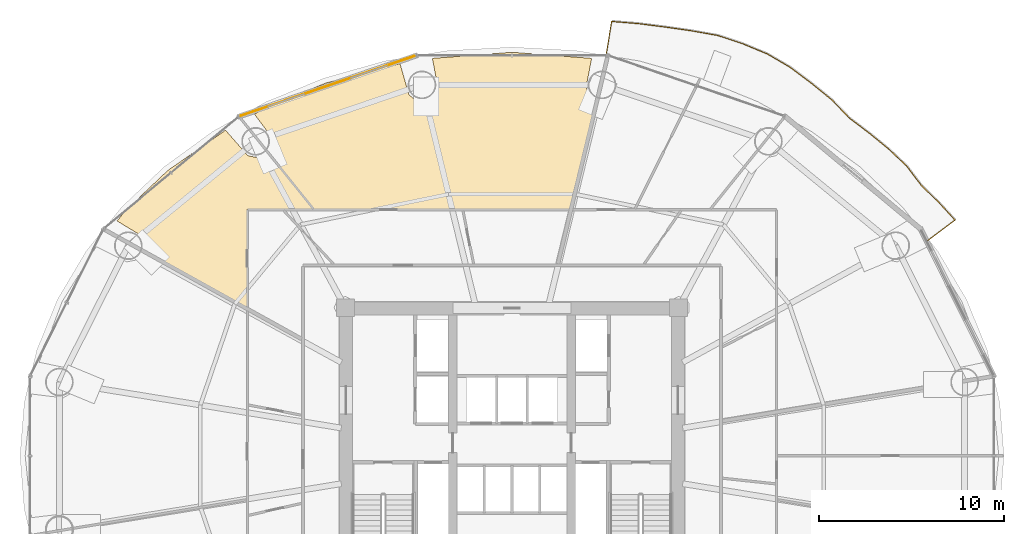
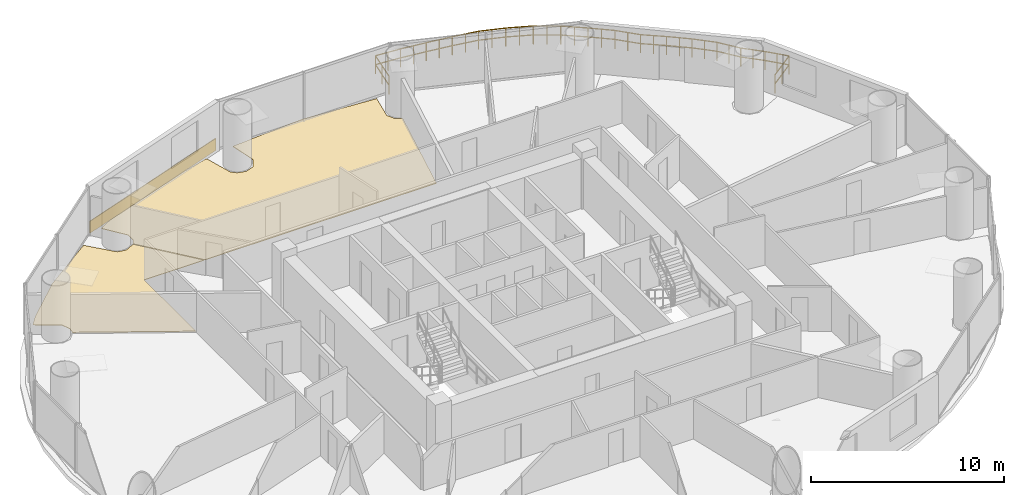
# One storey, part 29 of 29: 3 coverings, 1 railing.
"""IFC4 building model written with IfcOpenShell, lengths in metres."""

from ifc_helpers import new_model, si_unit, direction, frame, origin, origin_2d, place, context, subcontext, project, spatial, polyline, rectangle, outline, extrude, source, transform, mapped, material, layer, layer_set, type_object, element, save


model = new_model("IFC4")

# Units and contexts
model_context = context("Model", 3, precision=1e-05, world=origin(), true_north=direction((-0.2419218956, 0.970295726276)))
body_context = subcontext(model_context, "Body", "Model", "MODEL_VIEW")
ifc_project = project(units=[si_unit("LENGTHUNIT", "METRE"), si_unit("AREAUNIT", "SQUARE_METRE"), si_unit("VOLUMEUNIT", "CUBIC_METRE"), si_unit("PLANEANGLEUNIT", "RADIAN"), si_unit("MASSUNIT", "GRAM", prefix="KILO")], contexts=[model_context])

# Site, building, storey
site_placement = place(None, origin())
site = spatial("IfcSite", under=ifc_project, at=site_placement, CompositionType="ELEMENT")
building_placement = place(site_placement, origin())
building = spatial("IfcBuilding", under=site, at=building_placement, Name="Cobrevalo Terracotta Tower", CompositionType="ELEMENT")
storey_placement = place(building_placement, frame((0.0, 0.0, 126.60009765625)))
storey = spatial("IfcBuildingStorey", under=building, at=storey_placement, Name="L33", CompositionType="ELEMENT", Elevation=126.60009765625)

# Railing
ifc_material_1 = material(Name="Laminated structural glass and stainless steel", Category="steel")
railing_type = type_object("IfcRailingType", Name="Balcony lobe structural glass & terracotta-cap balustrade 1180 mm", PredefinedType="BALUSTRADE", material=ifc_material_1)
railing_placement = place(storey_placement, frame((60.457275390625, 38.428955078125, 0.0)))
element("IfcRailing", 1, at=railing_placement, inside=storey, type_object=railing_type, Name="L33 spiralling balcony lobe balustrade 1", PredefinedType="BALUSTRADE", context=body_context, shape_type="SweptSolid", body=[
    extrude(rectangle(XDim=0.048095703125, YDim=0.048095703125, at=origin_2d()), frame((0.0, 0.0, 1.15576171875), z_axis=(0.800156917434, 0.599790719737, 0.0), x_axis=(-0.599790719737, 0.800156917434, 0.0)), (0.0, 0.0, 1.0), 1.86669921875),
    extrude(rectangle(XDim=0.048095703125, YDim=0.048095703125, at=origin_2d()), frame((0.0, 0.0, 0.58984375), z_axis=(0.800156917434, 0.599790719737, 0.0), x_axis=(-0.599790719737, 0.800156917434, 0.0)), (0.0, 0.0, 1.0), 1.86669921875),
    extrude(rectangle(XDim=0.048095703125, YDim=0.048095703125, at=origin_2d()), frame((1.49365234375, 1.11962890625, 1.15576171875), z_axis=(-0.675208242645, 0.737627161284, 0.0), x_axis=(-0.737627161284, -0.675208242645, 0.0)), (0.0, 0.0, 1.0), 1.306396484375),
    extrude(rectangle(XDim=0.048095703125, YDim=0.048095703125, at=origin_2d()), frame((1.49365234375, 1.11962890625, 0.58984375), z_axis=(-0.675208242645, 0.737627161284, 0.0), x_axis=(-0.737627161284, -0.675208242645, 0.0)), (0.0, 0.0, 1.0), 1.306396484375),
    extrude(rectangle(XDim=0.048095703125, YDim=0.048095703125, at=origin_2d()), frame((0.611572265625, 2.083251953125, 1.15576171875), z_axis=(-0.718281268291, 0.695752843776, 0.0), x_axis=(-0.695752843776, -0.718281268291, 0.0)), (0.0, 0.0, 1.0), 1.300537109375),
    extrude(rectangle(XDim=0.048095703125, YDim=0.048095703125, at=origin_2d()), frame((0.611572265625, 2.083251953125, 0.58984375), z_axis=(-0.718281268291, 0.695752843776, 0.0), x_axis=(-0.695752843776, -0.718281268291, 0.0)), (0.0, 0.0, 1.0), 1.300537109375),
    extrude(rectangle(XDim=0.048095703125, YDim=0.048095703125, at=origin_2d()), frame((-0.322509765625, 2.988037109375, 1.15576171875), z_axis=(-0.604350460896, 0.796718595499, 0.0), x_axis=(-0.796718595499, -0.604350460896, 0.0)), (0.0, 0.0, 1.0), 1.335205078125),
    extrude(rectangle(XDim=0.048095703125, YDim=0.048095703125, at=origin_2d()), frame((-0.322509765625, 2.988037109375, 0.58984375), z_axis=(-0.604350460896, 0.796718595499, 0.0), x_axis=(-0.796718595499, -0.604350460896, 0.0)), (0.0, 0.0, 1.0), 1.335205078125),
    extrude(rectangle(XDim=0.048095703125, YDim=0.048095703125, at=origin_2d()), frame((-1.12939453125, 4.0517578125, 1.15576171875), z_axis=(-0.727120159513, 0.686510213784, 0.0), x_axis=(-0.686510213784, -0.727120159513, 0.0)), (0.0, 0.0, 1.0), 1.32861328125),
    extrude(rectangle(XDim=0.048095703125, YDim=0.048095703125, at=origin_2d()), frame((-1.12939453125, 4.0517578125, 0.58984375), z_axis=(-0.727120159513, 0.686510213784, 0.0), x_axis=(-0.686510213784, -0.727120159513, 0.0)), (0.0, 0.0, 1.0), 1.32861328125),
    extrude(rectangle(XDim=0.048095703125, YDim=0.048095703125, at=origin_2d()), frame((-2.095458984375, 4.9638671875, 1.15576171875), z_axis=(-0.77371390746, 0.633535152461, 0.0), x_axis=(-0.633535152461, -0.77371390746, 0.0)), (0.0, 0.0, 1.0), 1.341064453125),
    extrude(rectangle(XDim=0.048095703125, YDim=0.048095703125, at=origin_2d()), frame((-2.095458984375, 4.9638671875, 0.58984375), z_axis=(-0.77371390746, 0.633535152461, 0.0), x_axis=(-0.633535152461, -0.77371390746, 0.0)), (0.0, 0.0, 1.0), 1.341064453125),
    extrude(rectangle(XDim=0.048095703125, YDim=0.048095703125, at=origin_2d()), frame((-3.133056640625, 5.8134765625, 1.15576171875), z_axis=(-0.797876949191, 0.602820349648, 0.0), x_axis=(-0.602820349648, -0.797876949191, 0.0)), (0.0, 0.0, 1.0), 1.35546875),
    extrude(rectangle(XDim=0.048095703125, YDim=0.048095703125, at=origin_2d()), frame((-3.133056640625, 5.8134765625, 0.58984375), z_axis=(-0.797876949191, 0.602820349648, 0.0), x_axis=(-0.602820349648, -0.797876949191, 0.0)), (0.0, 0.0, 1.0), 1.35546875),
    extrude(rectangle(XDim=0.048095703125, YDim=0.048095703125, at=origin_2d()), frame((-4.214599609375, 6.630615234375, 1.15576171875), z_axis=(-0.694174557694, 0.719806698671, 0.0), x_axis=(-0.719806698671, -0.694174557694, 0.0)), (0.0, 0.0, 1.0), 1.390625),
    extrude(rectangle(XDim=0.048095703125, YDim=0.048095703125, at=origin_2d()), frame((-4.214599609375, 6.630615234375, 0.58984375), z_axis=(-0.694174557694, 0.719806698671, 0.0), x_axis=(-0.719806698671, -0.694174557694, 0.0)), (0.0, 0.0, 1.0), 1.390625),
    extrude(rectangle(XDim=0.048095703125, YDim=0.048095703125, at=origin_2d()), frame((-5.179931640625, 7.631591796875, 1.15576171875), z_axis=(-0.77586523956, 0.630898668601, 0.0), x_axis=(-0.630898668601, -0.77586523956, 0.0)), (0.0, 0.0, 1.0), 1.411376953125),
    extrude(rectangle(XDim=0.048095703125, YDim=0.048095703125, at=origin_2d()), frame((-5.179931640625, 7.631591796875, 0.58984375), z_axis=(-0.77586523956, 0.630898668601, 0.0), x_axis=(-0.630898668601, -0.77586523956, 0.0)), (0.0, 0.0, 1.0), 1.411376953125),
    extrude(rectangle(XDim=0.048095703125, YDim=0.048095703125, at=origin_2d()), frame((-6.27490234375, 8.52197265625, 1.15576171875), z_axis=(-0.800061789845, 0.599917604701, 0.0), x_axis=(-0.599917604701, -0.800061789845, 0.0)), (0.0, 0.0, 1.0), 1.42236328125),
    extrude(rectangle(XDim=0.048095703125, YDim=0.048095703125, at=origin_2d()), frame((-6.27490234375, 8.52197265625, 0.58984375), z_axis=(-0.800061789845, 0.599917604701, 0.0), x_axis=(-0.599917604701, -0.800061789845, 0.0)), (0.0, 0.0, 1.0), 1.42236328125),
    extrude(rectangle(XDim=0.048095703125, YDim=0.048095703125, at=origin_2d()), frame((-7.412841796875, 9.375244140625, 1.15576171875), z_axis=(-0.863032677379, 0.505148094895, 0.0), x_axis=(-0.505148094895, -0.863032677379, 0.0)), (0.0, 0.0, 1.0), 1.42578125),
    extrude(rectangle(XDim=0.048095703125, YDim=0.048095703125, at=origin_2d()), frame((-7.412841796875, 9.375244140625, 0.58984375), z_axis=(-0.863032677379, 0.505148094895, 0.0), x_axis=(-0.505148094895, -0.863032677379, 0.0)), (0.0, 0.0, 1.0), 1.42578125),
    extrude(rectangle(XDim=0.048095703125, YDim=0.048095703125, at=origin_2d()), frame((-8.643310546875, 10.095458984375, 1.15576171875), z_axis=(-0.923538347498, 0.383506089522, 0.0), x_axis=(-0.383506089522, -0.923538347498, 0.0)), (0.0, 0.0, 1.0), 1.43798828125),
    extrude(rectangle(XDim=0.048095703125, YDim=0.048095703125, at=origin_2d()), frame((-8.643310546875, 10.095458984375, 0.58984375), z_axis=(-0.923538347498, 0.383506089522, 0.0), x_axis=(-0.383506089522, -0.923538347498, 0.0)), (0.0, 0.0, 1.0), 1.43798828125),
    extrude(rectangle(XDim=0.048095703125, YDim=0.048095703125, at=origin_2d()), frame((-9.971435546875, 10.64697265625, 1.15576171875), z_axis=(-0.948887271865, 0.31561518546, 0.0), x_axis=(-0.31561518546, -0.948887271865, 0.0)), (0.0, 0.0, 1.0), 1.434814453125),
    extrude(rectangle(XDim=0.048095703125, YDim=0.048095703125, at=origin_2d()), frame((-9.971435546875, 10.64697265625, 0.58984375), z_axis=(-0.948887271865, 0.31561518546, 0.0), x_axis=(-0.31561518546, -0.948887271865, 0.0)), (0.0, 0.0, 1.0), 1.434814453125),
    extrude(rectangle(XDim=0.048095703125, YDim=0.048095703125, at=origin_2d()), frame((-11.3330078125, 11.099853515625, 1.15576171875), z_axis=(-0.98468731325, 0.174329845764, 0.0), x_axis=(-0.174329845764, -0.98468731325, 0.0)), (0.0, 0.0, 1.0), 1.457763671875),
    extrude(rectangle(XDim=0.048095703125, YDim=0.048095703125, at=origin_2d()), frame((-11.3330078125, 11.099853515625, 0.58984375), z_axis=(-0.98468731325, 0.174329845764, 0.0), x_axis=(-0.174329845764, -0.98468731325, 0.0)), (0.0, 0.0, 1.0), 1.457763671875),
    extrude(rectangle(XDim=0.048095703125, YDim=0.048095703125, at=origin_2d()), frame((-12.7685546875, 11.35400390625, 1.15576171875), z_axis=(-0.989898916874, 0.141774942679, 0.0), x_axis=(-0.141774942679, -0.989898916874, 0.0)), (0.0, 0.0, 1.0), 1.449951171875),
    extrude(rectangle(XDim=0.048095703125, YDim=0.048095703125, at=origin_2d()), frame((-12.7685546875, 11.35400390625, 0.58984375), z_axis=(-0.989898916874, 0.141774942679, 0.0), x_axis=(-0.141774942679, -0.989898916874, 0.0)), (0.0, 0.0, 1.0), 1.449951171875),
    extrude(rectangle(XDim=0.048095703125, YDim=0.048095703125, at=origin_2d()), frame((-14.203857421875, 11.5595703125, 1.15576171875), z_axis=(-0.99205188385, 0.125829486806, 0.0), x_axis=(-0.125829486806, -0.99205188385, 0.0)), (0.0, 0.0, 1.0), 1.439697265625),
    extrude(rectangle(XDim=0.048095703125, YDim=0.048095703125, at=origin_2d()), frame((-14.203857421875, 11.5595703125, 0.58984375), z_axis=(-0.99205188385, 0.125829486806, 0.0), x_axis=(-0.125829486806, -0.99205188385, 0.0)), (0.0, 0.0, 1.0), 1.439697265625),
    extrude(rectangle(XDim=0.048095703125, YDim=0.048095703125, at=origin_2d()), frame((-15.632080078125, 11.74072265625, 1.15576171875), z_axis=(-0.996728680005, 0.080820408659, 0.0), x_axis=(-0.080820408659, -0.996728680005, 0.0)), (0.0, 0.0, 1.0), 1.44384765625),
    extrude(rectangle(XDim=0.048095703125, YDim=0.048095703125, at=origin_2d()), frame((-15.632080078125, 11.74072265625, 0.58984375), z_axis=(-0.996728680005, 0.080820408659, 0.0), x_axis=(-0.080820408659, -0.996728680005, 0.0)), (0.0, 0.0, 1.0), 1.44384765625),
    extrude(rectangle(XDim=0.048095703125, YDim=0.048095703125, at=origin_2d()), frame((-17.0712890625, 11.857421875, 1.15576171875), z_axis=(-0.160491819597, -0.987037170446, 0.0), x_axis=(0.987037170446, -0.160491819597, 0.0)), (0.0, 0.0, 1.0), 1.956298828125),
    extrude(rectangle(XDim=0.048095703125, YDim=0.048095703125, at=origin_2d()), frame((-17.0712890625, 11.857421875, 0.58984375), z_axis=(-0.160491819597, -0.987037170446, 0.0), x_axis=(0.987037170446, -0.160491819597, 0.0)), (0.0, 0.0, 1.0), 1.956298828125),
    extrude(rectangle(XDim=0.0419921875, YDim=0.0419921875, at=origin_2d()), origin(), (0.0, 0.0, 1.0), 1.1318359375),
    extrude(rectangle(XDim=0.0419921875, YDim=0.0419921875, at=origin_2d()), frame((0.746826171875, 0.559814453125, 0.0)), (0.0, 0.0, 1.0), 1.1318359375),
    extrude(rectangle(XDim=0.0419921875, YDim=0.0419921875, at=origin_2d()), frame((1.49365234375, 1.11962890625, 0.0)), (0.0, 0.0, 1.0), 1.1318359375),
    extrude(rectangle(XDim=0.0419921875, YDim=0.0419921875, at=origin_2d()), frame((1.052734375, 1.6015625, 0.0)), (0.0, 0.0, 1.0), 1.1318359375),
    extrude(rectangle(XDim=0.0419921875, YDim=0.0419921875, at=origin_2d()), frame((0.611572265625, 2.083251953125, 0.0)), (0.0, 0.0, 1.0), 1.1318359375),
    extrude(rectangle(XDim=0.0419921875, YDim=0.0419921875, at=origin_2d()), frame((0.14453125, 2.53564453125, 0.0)), (0.0, 0.0, 1.0), 1.1318359375),
    extrude(rectangle(XDim=0.0419921875, YDim=0.0419921875, at=origin_2d()), frame((-0.322509765625, 2.988037109375, 0.0)), (0.0, 0.0, 1.0), 1.1318359375),
    extrude(rectangle(XDim=0.0419921875, YDim=0.0419921875, at=origin_2d()), frame((-0.72607421875, 3.52001953125, 0.0)), (0.0, 0.0, 1.0), 1.1318359375),
    extrude(rectangle(XDim=0.0419921875, YDim=0.0419921875, at=origin_2d()), frame((-1.12939453125, 4.0517578125, 0.0)), (0.0, 0.0, 1.0), 1.1318359375),
    extrude(rectangle(XDim=0.0419921875, YDim=0.0419921875, at=origin_2d()), frame((-1.6123046875, 4.5078125, 0.0)), (0.0, 0.0, 1.0), 1.1318359375),
    extrude(rectangle(XDim=0.0419921875, YDim=0.0419921875, at=origin_2d()), frame((-2.095458984375, 4.9638671875, 0.0)), (0.0, 0.0, 1.0), 1.1318359375),
    extrude(rectangle(XDim=0.0419921875, YDim=0.0419921875, at=origin_2d()), frame((-2.6142578125, 5.388671875, 0.0)), (0.0, 0.0, 1.0), 1.1318359375),
    extrude(rectangle(XDim=0.0419921875, YDim=0.0419921875, at=origin_2d()), frame((-3.133056640625, 5.8134765625, 0.0)), (0.0, 0.0, 1.0), 1.1318359375),
    extrude(rectangle(XDim=0.0419921875, YDim=0.0419921875, at=origin_2d()), frame((-3.673828125, 6.22216796875, 0.0)), (0.0, 0.0, 1.0), 1.1318359375),
    extrude(rectangle(XDim=0.0419921875, YDim=0.0419921875, at=origin_2d()), frame((-4.214599609375, 6.630615234375, 0.0)), (0.0, 0.0, 1.0), 1.1318359375),
    extrude(rectangle(XDim=0.0419921875, YDim=0.0419921875, at=origin_2d()), frame((-4.697265625, 7.131103515625, 0.0)), (0.0, 0.0, 1.0), 1.1318359375),
    extrude(rectangle(XDim=0.0419921875, YDim=0.0419921875, at=origin_2d()), frame((-5.179931640625, 7.631591796875, 0.0)), (0.0, 0.0, 1.0), 1.1318359375),
    extrude(rectangle(XDim=0.0419921875, YDim=0.0419921875, at=origin_2d()), frame((-5.7275390625, 8.07666015625, 0.0)), (0.0, 0.0, 1.0), 1.1318359375),
    extrude(rectangle(XDim=0.0419921875, YDim=0.0419921875, at=origin_2d()), frame((-6.27490234375, 8.52197265625, 0.0)), (0.0, 0.0, 1.0), 1.1318359375),
    extrude(rectangle(XDim=0.0419921875, YDim=0.0419921875, at=origin_2d()), frame((-6.84375, 8.94873046875, 0.0)), (0.0, 0.0, 1.0), 1.1318359375),
    extrude(rectangle(XDim=0.0419921875, YDim=0.0419921875, at=origin_2d()), frame((-7.412841796875, 9.375244140625, 0.0)), (0.0, 0.0, 1.0), 1.1318359375),
    extrude(rectangle(XDim=0.0419921875, YDim=0.0419921875, at=origin_2d()), frame((-8.028076171875, 9.7353515625, 0.0)), (0.0, 0.0, 1.0), 1.1318359375),
    extrude(rectangle(XDim=0.0419921875, YDim=0.0419921875, at=origin_2d()), frame((-8.643310546875, 10.095458984375, 0.0)), (0.0, 0.0, 1.0), 1.1318359375),
    extrude(rectangle(XDim=0.0419921875, YDim=0.0419921875, at=origin_2d()), frame((-9.307373046875, 10.37109375, 0.0)), (0.0, 0.0, 1.0), 1.1318359375),
    extrude(rectangle(XDim=0.0419921875, YDim=0.0419921875, at=origin_2d()), frame((-9.971435546875, 10.64697265625, 0.0)), (0.0, 0.0, 1.0), 1.1318359375),
    extrude(rectangle(XDim=0.0419921875, YDim=0.0419921875, at=origin_2d()), frame((-10.65234375, 10.87353515625, 0.0)), (0.0, 0.0, 1.0), 1.1318359375),
    extrude(rectangle(XDim=0.0419921875, YDim=0.0419921875, at=origin_2d()), frame((-11.3330078125, 11.099853515625, 0.0)), (0.0, 0.0, 1.0), 1.1318359375),
    extrude(rectangle(XDim=0.0419921875, YDim=0.0419921875, at=origin_2d()), frame((-12.05078125, 11.22705078125, 0.0)), (0.0, 0.0, 1.0), 1.1318359375),
    extrude(rectangle(XDim=0.0419921875, YDim=0.0419921875, at=origin_2d()), frame((-12.7685546875, 11.35400390625, 0.0)), (0.0, 0.0, 1.0), 1.1318359375),
    extrude(rectangle(XDim=0.0419921875, YDim=0.0419921875, at=origin_2d()), frame((-13.486328125, 11.456787109375, 0.0)), (0.0, 0.0, 1.0), 1.1318359375),
    extrude(rectangle(XDim=0.0419921875, YDim=0.0419921875, at=origin_2d()), frame((-14.203857421875, 11.5595703125, 0.0)), (0.0, 0.0, 1.0), 1.1318359375),
    extrude(rectangle(XDim=0.0419921875, YDim=0.0419921875, at=origin_2d()), frame((-14.91796875, 11.650146484375, 0.0)), (0.0, 0.0, 1.0), 1.1318359375),
    extrude(rectangle(XDim=0.0419921875, YDim=0.0419921875, at=origin_2d()), frame((-15.632080078125, 11.74072265625, 0.0)), (0.0, 0.0, 1.0), 1.1318359375),
    extrude(rectangle(XDim=0.0419921875, YDim=0.0419921875, at=origin_2d()), frame((-16.3515625, 11.799072265625, 0.0)), (0.0, 0.0, 1.0), 1.1318359375),
    extrude(rectangle(XDim=0.0419921875, YDim=0.0419921875, at=origin_2d()), frame((-17.0712890625, 11.857421875, 0.0)), (0.0, 0.0, 1.0), 1.1318359375),
    extrude(rectangle(XDim=0.0419921875, YDim=0.0419921875, at=origin_2d()), frame((-17.228271484375, 10.89208984375, 0.0)), (0.0, 0.0, 1.0), 1.1318359375),
    extrude(rectangle(XDim=0.0419921875, YDim=0.0419921875, at=origin_2d()), frame((-17.38525390625, 9.926513671875, 0.0)), (0.0, 0.0, 1.0), 1.1318359375),
])

# Coverings
ifc_material_2 = material(Name="Engineered Brazilian hardwood flooring", Category="wood")
ifc_layer_1 = layer(ifc_material_2, 0.028076171875)
ifc_layer_set_1 = layer_set([ifc_layer_1], Name="Engineered Brazilian hardwood flooring")
covering_type_1 = type_object("IfcCoveringType", Name="Engineered Hardwood Suite Flooring 28", PredefinedType="FLOORING", material=ifc_layer_set_1)
covering_1_placement = place(storey_placement, origin())
element("IfcCovering", 2, at=covering_1_placement, inside=storey, type_object=covering_type_1, Name="Flat L33B Penthouse Living and Dining Room floor finish", PredefinedType="FLOORING", context=body_context, shape_type="SweptSolid", body=[
    extrude(outline(polyline([(27.926513671875, 46.95849609375), (31.94921875, 48.001953125), (32.421875, 46.337890625), (32.674560546875, 46.10546875), (33.169189453125, 45.977783203125), (33.651611328125, 46.146240234375), (34.002197265625, 46.721435546875), (33.6904296875, 48.2890625), (38.0, 48.619873046875), (42.3095703125, 48.2890625), (41.997802734375, 46.721435546875), (42.2197265625, 46.26123046875), (42.5830078125, 46.028564453125), (41.169677734375, 40.125), (27.309326171875, 40.125), (24.806640625, 43.23681640625), (24.97998046875, 43.54541015625), (24.9814453125, 44.05615234375), (24.07568359375, 45.273193359375), (24.838623046875, 45.696044921875), (27.926513671875, 46.95849609375)])), origin(), (0.0, 0.0, 1.0), 0.02978515625),
])
covering_2_placement = place(storey_placement, origin())
element("IfcCovering", 3, at=covering_2_placement, inside=storey, type_object=covering_type_1, Name="Flat L33B Master Bedroom floor finish", PredefinedType="FLOORING", context=body_context, shape_type="SweptSolid", body=[
    extrude(outline(polyline([(22.511474609375, 44.40673828125), (23.72119140625, 43.02880859375), (24.221923828125, 42.927490234375), (24.780029296875, 43.2060546875), (27.2578125, 40.125), (23.675048828125, 40.125), (23.675048828125, 34.775390625), (18.083740234375, 37.879150390625), (18.131591796875, 38.23876953125), (17.94091796875, 38.712890625), (16.64697265625, 39.49755859375), (17.117919921875, 40.081787109375), (19.3876953125, 42.227783203125), (22.511474609375, 44.40673828125)])), origin(), (0.0, 0.0, 1.0), 0.02978515625),
])
ifc_material_3 = material(Name="Glazed terracotta facade cladding tile", Category="masonry")
ifc_layer_2 = layer(ifc_material_3, 0.044921875)
ifc_layer_set_2 = layer_set([ifc_layer_2], Name="Glazed terracotta facade cladding tile")
covering_type_2 = type_object("IfcCoveringType", Name="Architectural terracotta rainscreen spandrel cladding 45 mm", PredefinedType="CLADDING", material=ifc_layer_set_2)
shared_shape = source(origin(), body_context, "Body", "SweptSolid", [
    extrude(rectangle(XDim=9.928955078125, YDim=0.044921875, at=origin_2d()), origin(), (0.0, 0.0, 1.0), 0.760009765625),
])
covering_3_placement = place(storey_placement, frame((28.027587890625, 46.79833984375, 0.0400390625), z_axis=(0.0, 0.0, 1.0), x_axis=(-0.945596395206, -0.325342062104, 0.0)))
element("IfcCovering", 4, at=covering_3_placement, inside=storey, type_object=covering_type_2, Name="L33 terracotta spandrel cladding S05", PredefinedType="CLADDING", context=body_context, shape_type="MappedRepresentation", body=[
    mapped(shared_shape, transform((0.0, 0.0, 0.0), scale=1.0)),
])

save(model, "model.ifc")
